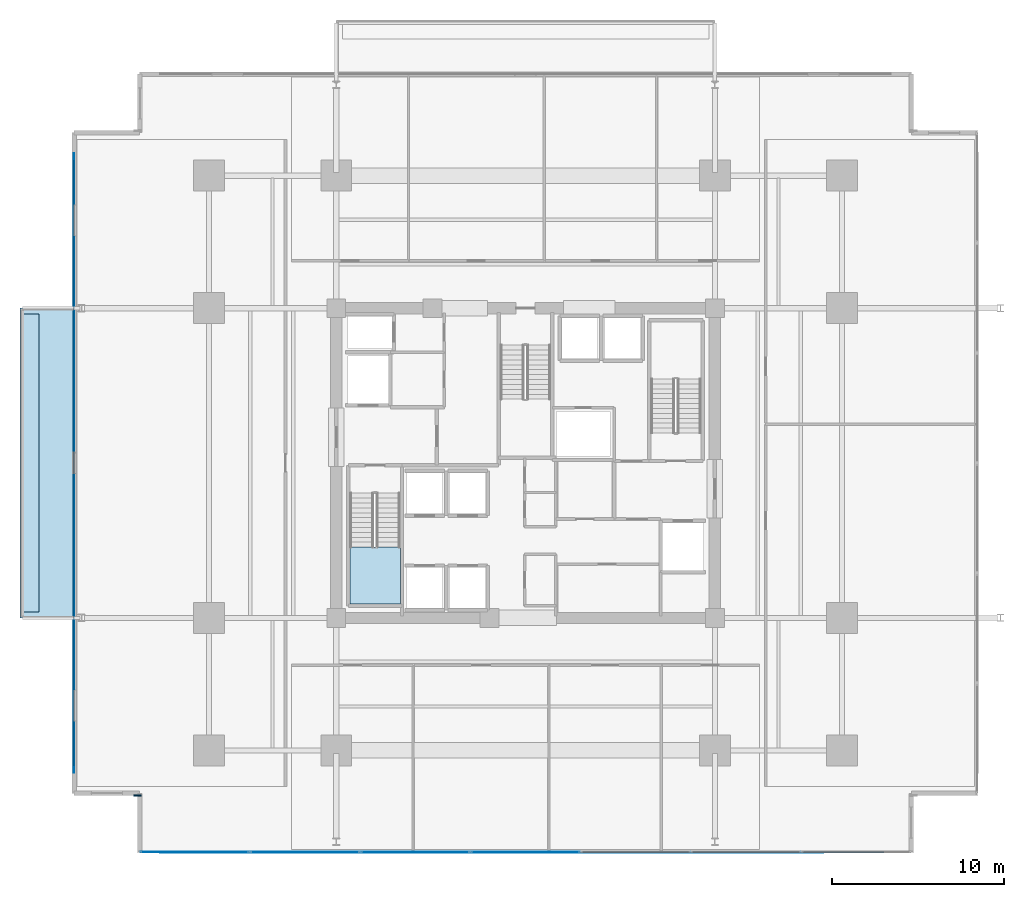
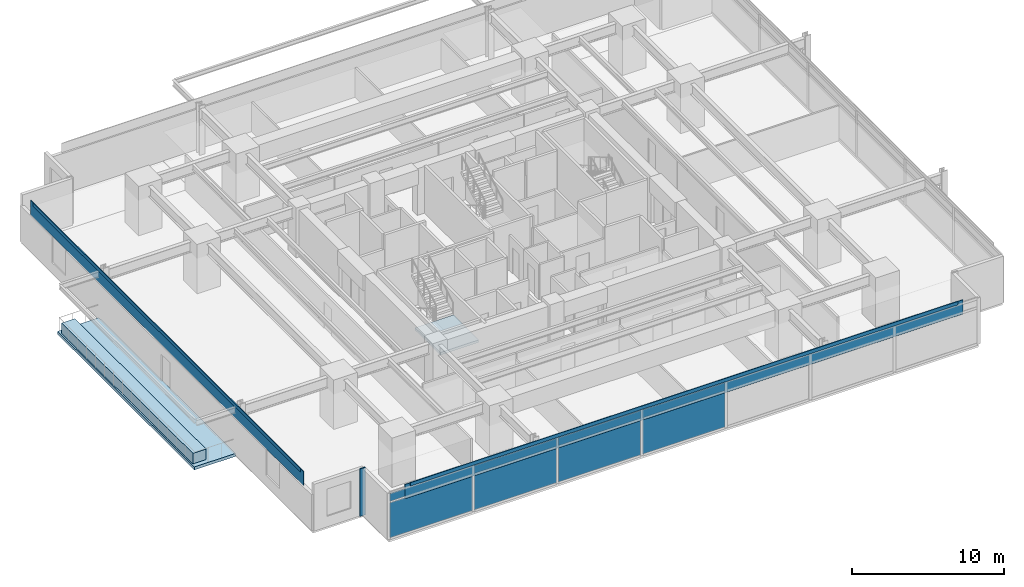
# One storey, part 12 of 22: 13 plates, 3 slabs, 2 elements without a shape of their own.
"""IFC4 building model written with IfcOpenShell, lengths in metres."""

from ifc_helpers import new_model, si_unit, direction, frame, origin, origin_2d, place, context, subcontext, project, spatial, polyline, rectangle, outline, extrude, material, layer, layer_set, type_object, element, aggregate, save


model = new_model("IFC4")

# Units and contexts
model_context = context("Model", 3, precision=1e-05, world=origin(), true_north=direction((0.0, 1.0)))
body_context = subcontext(model_context, "Body", "Model", "MODEL_VIEW")
ifc_project = project(units=[si_unit("LENGTHUNIT", "METRE"), si_unit("AREAUNIT", "SQUARE_METRE"), si_unit("VOLUMEUNIT", "CUBIC_METRE"), si_unit("PLANEANGLEUNIT", "RADIAN"), si_unit("MASSUNIT", "GRAM", prefix="KILO")], contexts=[model_context])

# Site, building, storey
site_placement = place(None, origin())
site = spatial("IfcSite", under=ifc_project, at=site_placement, CompositionType="ELEMENT")
building_placement = place(site_placement, origin())
building = spatial("IfcBuilding", under=site, at=building_placement, Name="Kovane Verandah Tower", CompositionType="ELEMENT")
storey_placement = place(building_placement, frame((0.0, 0.0, 79.60009765625)))
storey = spatial("IfcBuildingStorey", under=building, at=storey_placement, Name="L18", CompositionType="ELEMENT", Elevation=79.60009765625)

# Curtain wall, plates
ifc_material_1 = material(Name="Champagne Anodised Aluminium Frame with Low-E Clear Laminated Glass", Category="aluminium")
curtain_wall_type = type_object("IfcCurtainWallType", Name="CW-SYS-02-LOW", PredefinedType="NOTDEFINED", material=ifc_material_1)
curtain_wall_placement = place(storey_placement, origin())
curtain_wall = element("IfcCurtainWall", 1, at=curtain_wall_placement, inside=storey, type_object=curtain_wall_type, Name="L18 S Unitised Curtain Wall", PredefinedType="NOTDEFINED")
ifc_material_2 = material(Name="Pale Champagne Anodised Aluminium Insulated Spandrel", Category="aluminium")
ifc_layer_1 = layer(ifc_material_2, 0.0400390625)
ifc_layer_set_1 = layer_set([ifc_layer_1], Name="Pale Champagne Anodised Aluminium Insulated Spandrel")
plate_type_1 = type_object("IfcPlateType", Name="PL-CW-SPD-40", PredefinedType="SHEET", material=ifc_layer_set_1)
plate_1_placement = place(storey_placement, frame((20.775390625, 4.89990234375, 3.02978515625), z_axis=(0.0, 0.0, 1.0), x_axis=(1.0, 0.0, 0.0)))
plate_1 = element("IfcPlate", 2, at=plate_1_placement, type_object=plate_type_1, Name="L18 S Unitised Curtain Wall Spandrel Panel 1", PredefinedType="SHEET", context=body_context, shape_type="SweptSolid", body=[
    extrude(rectangle(XDim=6.268310546875, YDim=0.0400390625, at=origin_2d()), origin(), (0.0, 0.0, 1.0), 0.639892578125),
])
plate_2_placement = place(storey_placement, frame((27.18359375, 4.89990234375, 3.02978515625), z_axis=(0.0, 0.0, 1.0), x_axis=(1.0, 0.0, 0.0)))
plate_2 = element("IfcPlate", 3, at=plate_2_placement, type_object=plate_type_1, Name="L18 S Unitised Curtain Wall Spandrel Panel 2", PredefinedType="SHEET", context=body_context, shape_type="SweptSolid", body=[
    extrude(rectangle(XDim=6.268310546875, YDim=0.0400390625, at=origin_2d()), origin(), (0.0, 0.0, 1.0), 0.639892578125),
])
plate_3_placement = place(storey_placement, frame((33.591796875, 4.89990234375, 3.02978515625), z_axis=(0.0, 0.0, 1.0), x_axis=(1.0, 0.0, 0.0)))
plate_3 = element("IfcPlate", 4, at=plate_3_placement, type_object=plate_type_1, Name="L18 S Unitised Curtain Wall Spandrel Panel 3", PredefinedType="SHEET", context=body_context, shape_type="SweptSolid", body=[
    extrude(rectangle(XDim=6.268310546875, YDim=0.0400390625, at=origin_2d()), origin(), (0.0, 0.0, 1.0), 0.639892578125),
])
plate_4_placement = place(storey_placement, frame((40.0, 4.89990234375, 3.02978515625), z_axis=(0.0, 0.0, 1.0), x_axis=(1.0, 0.0, 0.0)))
plate_4 = element("IfcPlate", 5, at=plate_4_placement, type_object=plate_type_1, Name="L18 S Unitised Curtain Wall Spandrel Panel 4", PredefinedType="SHEET", context=body_context, shape_type="SweptSolid", body=[
    extrude(rectangle(XDim=6.268310546875, YDim=0.0400390625, at=origin_2d()), origin(), (0.0, 0.0, 1.0), 0.639892578125),
])
ifc_material_3 = material(Name="Clear Low-E Laminated Double Glazing", Category="glass")
ifc_layer_2 = layer(ifc_material_3, 0.031982421875)
ifc_layer_set_2 = layer_set([ifc_layer_2], Name="Clear Low-E Laminated Double Glazing")
plate_type_2 = type_object("IfcPlateType", Name="PL-CW-VIS-32", PredefinedType="CURTAIN_PANEL", material=ifc_layer_set_2)
plate_5_placement = place(storey_placement, frame((20.775390625, 4.89990234375, 0.099853515625), z_axis=(0.0, 0.0, 1.0), x_axis=(1.0, 0.0, 0.0)))
plate_5 = element("IfcPlate", 6, at=plate_5_placement, type_object=plate_type_2, Name="L18 S Unitised Curtain Wall Vision Panel 1", PredefinedType="CURTAIN_PANEL", context=body_context, shape_type="SweptSolid", body=[
    extrude(rectangle(XDim=6.268310546875, YDim=0.031982421875, at=origin_2d()), origin(), (0.0, 0.0, 1.0), 2.830078125),
])
plate_6_placement = place(storey_placement, frame((27.18359375, 4.89990234375, 0.099853515625), z_axis=(0.0, 0.0, 1.0), x_axis=(1.0, 0.0, 0.0)))
plate_6 = element("IfcPlate", 7, at=plate_6_placement, type_object=plate_type_2, Name="L18 S Unitised Curtain Wall Vision Panel 2", PredefinedType="CURTAIN_PANEL", context=body_context, shape_type="SweptSolid", body=[
    extrude(rectangle(XDim=6.268310546875, YDim=0.031982421875, at=origin_2d()), origin(), (0.0, 0.0, 1.0), 2.830078125),
])
plate_7_placement = place(storey_placement, frame((33.591796875, 4.89990234375, 0.099853515625), z_axis=(0.0, 0.0, 1.0), x_axis=(1.0, 0.0, 0.0)))
plate_7 = element("IfcPlate", 8, at=plate_7_placement, type_object=plate_type_2, Name="L18 S Unitised Curtain Wall Vision Panel 3", PredefinedType="CURTAIN_PANEL", context=body_context, shape_type="SweptSolid", body=[
    extrude(rectangle(XDim=6.268310546875, YDim=0.031982421875, at=origin_2d()), origin(), (0.0, 0.0, 1.0), 2.830078125),
])
plate_8_placement = place(storey_placement, frame((40.0, 4.89990234375, 0.099853515625), z_axis=(0.0, 0.0, 1.0), x_axis=(1.0, 0.0, 0.0)))
plate_8 = element("IfcPlate", 9, at=plate_8_placement, type_object=plate_type_2, Name="L18 S Unitised Curtain Wall Vision Panel 4", PredefinedType="CURTAIN_PANEL", context=body_context, shape_type="SweptSolid", body=[
    extrude(rectangle(XDim=6.268310546875, YDim=0.031982421875, at=origin_2d()), origin(), (0.0, 0.0, 1.0), 2.830078125),
])
aggregate(curtain_wall, [plate_5, plate_1, plate_6, plate_2, plate_7, plate_3, plate_8, plate_4])

# Plates
ifc_material_4 = material(Name="Timber-Toned Subtropical Aluminium Vertical Blade", Category="wood")
ifc_layer_3 = layer(ifc_material_4, 0.090087890625)
ifc_layer_set_3 = layer_set([ifc_layer_3], Name="Timber-Toned Subtropical Aluminium Vertical Blade")
plate_type_3 = type_object("IfcPlateType", Name="PL-FIN-90", PredefinedType="USERDEFINED", material=ifc_layer_set_3)
plate_9_placement = place(storey_placement, frame((17.451416015625, 8.179931640625, -0.02001953125), z_axis=(0.0, 0.0, 1.0), x_axis=(1.0, 0.0, 0.0)))
element("IfcPlate", 10, at=plate_9_placement, inside=storey, type_object=plate_type_3, Name="L18 SW Timber-Toned Vertical Corner Fin", ObjectType="FIN", PredefinedType="USERDEFINED", context=body_context, shape_type="SweptSolid", body=[
    extrude(rectangle(XDim=0.419921875, YDim=0.090087890625, at=origin_2d()), origin(), (0.0, 0.0, 1.0), 3.820068359375),
])
ifc_material_5 = material(Name="Perforated Pale Champagne Anodised Aluminium Solar Screen", Category="aluminium")
ifc_layer_4 = layer(ifc_material_5, 0.050048828125)
ifc_layer_set_4 = layer_set([ifc_layer_4], Name="Perforated Pale Champagne Anodised Aluminium Solar Screen")
plate_type_4 = type_object("IfcPlateType", Name="PL-SCREEN-50", PredefinedType="USERDEFINED", material=ifc_layer_set_4)
plate_10_placement = place(storey_placement, frame((40.0, 4.885009765625, 2.85986328125), z_axis=(0.0, 0.0, 1.0), x_axis=(1.0, 0.0, 0.0)))
element("IfcPlate", 11, at=plate_10_placement, inside=storey, type_object=plate_type_4, Name="L18 S Perforated Champagne-Gold Solar Screen", ObjectType="SCREEN", PredefinedType="USERDEFINED", context=body_context, shape_type="SweptSolid", body=[
    extrude(rectangle(XDim=42.45703125, YDim=0.050048828125, at=origin_2d()), origin(), (0.0, 0.0, 1.0), 1.14990234375),
])
plate_11_placement = place(storey_placement, frame((13.75634765625, 27.5, 2.85986328125), z_axis=(0.0, 0.0, 1.0), x_axis=(0.0, -1.0, 0.0)))
element("IfcPlate", 12, at=plate_11_placement, inside=storey, type_object=plate_type_4, Name="L18 W Perforated Champagne-Gold Solar Screen", ObjectType="SCREEN", PredefinedType="USERDEFINED", context=body_context, shape_type="SweptSolid", body=[
    extrude(rectangle(XDim=36.0, YDim=0.050048828125, at=origin_2d()), origin(), (0.0, 0.0, 1.0), 1.14990234375),
])
ifc_material_6 = material(Name="Extruded Pale-Bronze Aluminium Aerofoil Sunshade", Category="aluminium")
ifc_layer_5 = layer(ifc_material_6, 0.06005859375)
ifc_layer_set_5 = layer_set([ifc_layer_5], Name="Extruded Pale-Bronze Aluminium Aerofoil Sunshade")
plate_type_5 = type_object("IfcPlateType", Name="PL-SUNSHADE-60", PredefinedType="USERDEFINED", material=ifc_layer_set_5)
plate_12_placement = place(storey_placement, frame((40.0, 4.8798828125, 3.73974609375), z_axis=(0.0, 0.0, 1.0), x_axis=(1.0, 0.0, 0.0)))
element("IfcPlate", 13, at=plate_12_placement, inside=storey, type_object=plate_type_5, Name="L18 S Subtropical Aerofoil Sunshade", ObjectType="SUNSHADE", PredefinedType="USERDEFINED", context=body_context, shape_type="SweptSolid", body=[
    extrude(rectangle(XDim=41.656982421875, YDim=0.06005859375, at=origin_2d()), origin(), (0.0, 0.0, 1.0), 0.280029296875),
])
plate_13_placement = place(storey_placement, frame((13.751220703125, 27.5, 3.73974609375), z_axis=(0.0, 0.0, 1.0), x_axis=(0.0, -1.0, 0.0)))
element("IfcPlate", 14, at=plate_13_placement, inside=storey, type_object=plate_type_5, Name="L18 W Subtropical Aerofoil Sunshade", ObjectType="SUNSHADE", PredefinedType="USERDEFINED", context=body_context, shape_type="SweptSolid", body=[
    extrude(rectangle(XDim=35.199951171875, YDim=0.06005859375, at=origin_2d()), origin(), (0.0, 0.0, 1.0), 0.280029296875),
])

# Slab
ifc_material_7 = material(Name="Concrete C45/55", Category="concrete")
ifc_layer_6 = layer(ifc_material_7, 0.239990234375)
ifc_layer_set_6 = layer_set([ifc_layer_6], Name="Concrete C45/55")
slab_type_1 = type_object("IfcSlabType", Name="SL-BALC-240", PredefinedType="FLOOR", material=ifc_layer_set_6)
slab_1_placement = place(storey_placement, frame((0.0, 0.0, -0.239990234375)))
element("IfcSlab", 15, at=slab_1_placement, inside=storey, type_object=slab_type_1, Name="L18 W Planted Verandah Balcony Slab", PredefinedType="FLOOR", context=body_context, shape_type="SweptSolid", body=[
    extrude(outline(polyline([(10.621337890625, 18.5), (13.771240234375, 18.5), (13.771240234375, 36.5), (10.621337890625, 36.5), (10.621337890625, 18.5)])), origin(), (0.0, 0.0, 1.0), 0.239990234375),
])

# Stair, slab
stair_type = type_object("IfcStairType", Name="ST-CORE-1380", PredefinedType="HALF_TURN_STAIR", material=ifc_material_7)
stair_placement = place(storey_placement, origin())
stair = element("IfcStair", 16, at=stair_placement, inside=storey, type_object=stair_type, Name="L18 Exit Stair ST-01", PredefinedType="HALF_TURN_STAIR")
ifc_layer_7 = layer(ifc_material_7, 0.199951171875)
ifc_layer_set_7 = layer_set([ifc_layer_7], Name="Concrete C45/55")
slab_type_2 = type_object("IfcSlabType", Name="SL-LAND-200", PredefinedType="LANDING", material=ifc_layer_set_7)
slab_2_placement = place(storey_placement, frame((0.0, 0.0, 1.7998046875)))
slab_2 = element("IfcSlab", 17, at=slab_2_placement, type_object=slab_type_2, Name="ST-01 landing 1", PredefinedType="LANDING", context=body_context, shape_type="SweptSolid", body=[
    extrude(outline(polyline([(29.800048828125, 22.614990234375), (29.800048828125, 19.300048828125), (32.719970703125, 19.300048828125), (32.719970703125, 22.614990234375), (29.800048828125, 22.614990234375)])), origin(), (0.0, 0.0, 1.0), 0.2001953125),
])
aggregate(stair, [slab_2])

# Slab
ifc_material_8 = material(Name="Architectural Precast Concrete C45/55 Planter Trough", Category="concrete")
ifc_layer_8 = layer(ifc_material_8, 0.219970703125)
ifc_layer_set_8 = layer_set([ifc_layer_8], Name="Architectural Precast Concrete C45/55 Planter Trough")
slab_type_3 = type_object("IfcSlabType", Name="SL-PLANTER-220", PredefinedType="USERDEFINED", material=ifc_layer_set_8)
slab_3_placement = place(storey_placement, origin())
element("IfcSlab", 18, at=slab_3_placement, inside=storey, type_object=slab_type_3, Name="L18 W Structural Tree Planter", ObjectType="PLANTER", PredefinedType="USERDEFINED", context=body_context, shape_type="SweptSolid", body=[
    extrude(outline(polyline([(10.72119140625, 18.85009765625), (11.72119140625, 18.85009765625), (11.72119140625, 36.14990234375), (10.72119140625, 36.14990234375), (10.72119140625, 18.85009765625)])), origin(), (0.0, 0.0, 1.0), 0.849853515625),
])

save(model, "model.ifc")
